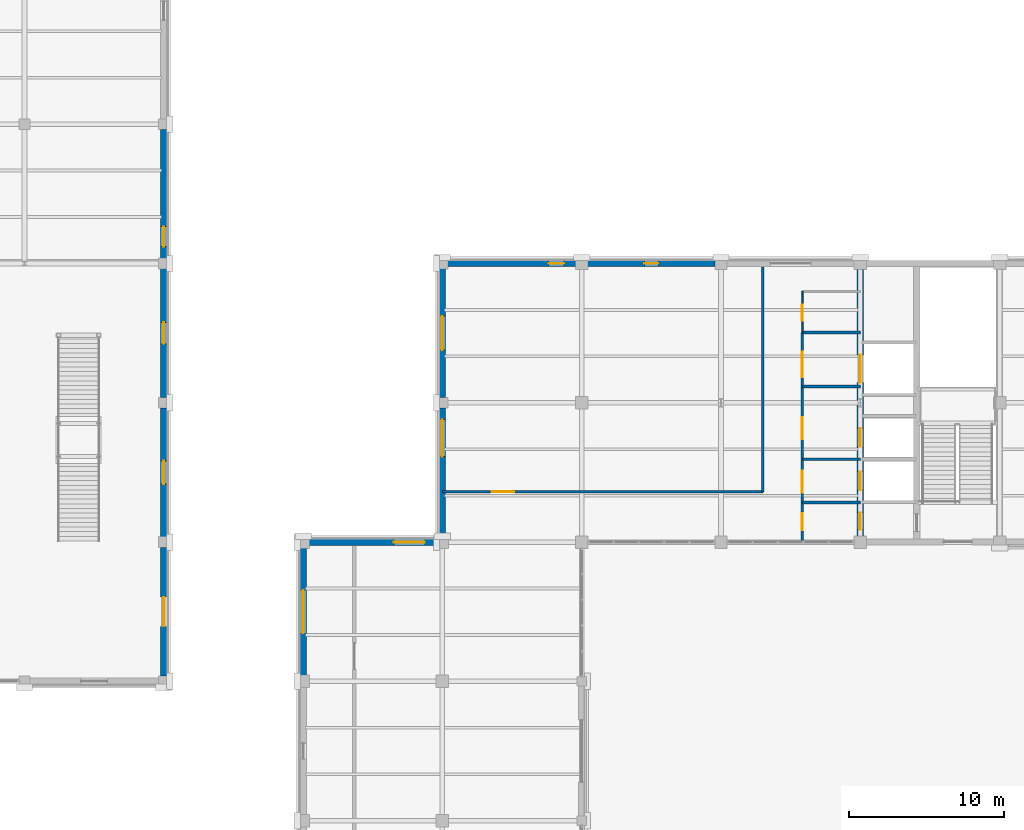
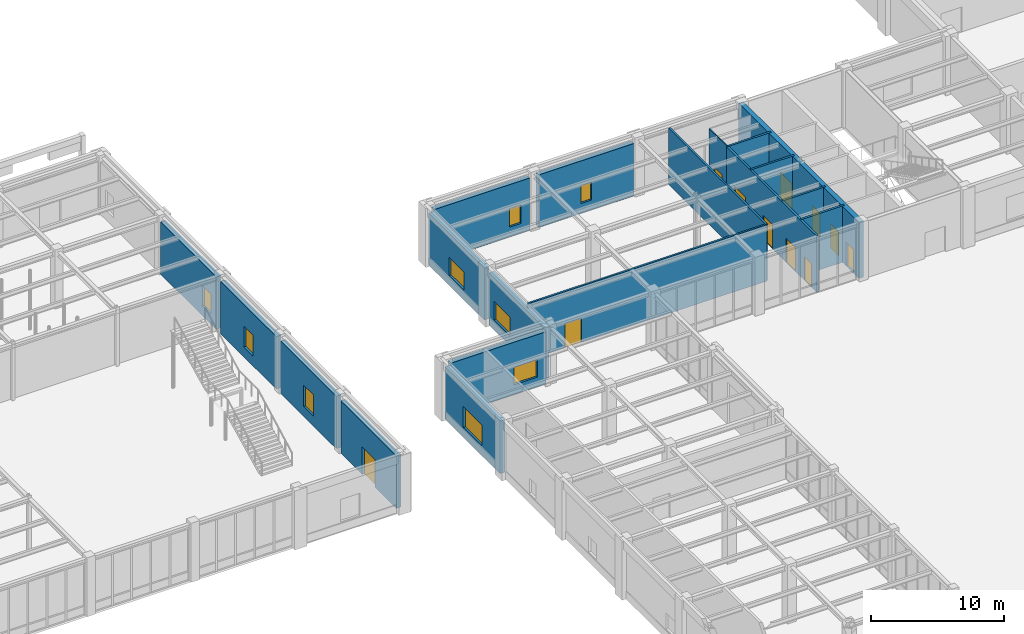
# One storey, part 68 of 77: 19 walls, 11 doors, 9 windows, 20 openings.
"""IFC4 building model written with IfcOpenShell, lengths in metres."""

from ifc_helpers import new_model, si_unit, direction, frame, frame_2d, origin, place, context, subcontext, project, spatial, rectangle, extrude, material, layer, layer_set, type_object, element, fill, save


model = new_model("IFC4")

# Units and contexts
model_context = context("Model", 3, precision=1e-05, world=origin(), true_north=direction((0.0, 1.0)))
body_context = subcontext(model_context, "Body", "Model", "MODEL_VIEW")
ifc_project = project(units=[si_unit("LENGTHUNIT", "METRE"), si_unit("AREAUNIT", "SQUARE_METRE"), si_unit("VOLUMEUNIT", "CUBIC_METRE"), si_unit("PLANEANGLEUNIT", "RADIAN"), si_unit("MASSUNIT", "GRAM", prefix="KILO")], contexts=[model_context])

# Site, building, storey
site_placement = place(None, origin())
site = spatial("IfcSite", under=ifc_project, at=site_placement, CompositionType="ELEMENT")
building_placement = place(site_placement, origin())
building = spatial("IfcBuilding", under=site, at=building_placement, Name="Lykobir Media Centre", CompositionType="ELEMENT")
storey_placement = place(building_placement, origin())
storey = spatial("IfcBuildingStorey", under=building, at=storey_placement, Name="L00", CompositionType="ELEMENT", Elevation=0.0)

# Wall, opening, window
ifc_material_1 = material(Name="Honed Travertine Stone", Category="masonry")
ifc_layer_1 = layer(ifc_material_1, 0.419921875, Name="Honed Travertine Stone")
ifc_layer_set_1 = layer_set([ifc_layer_1], Name="Honed Travertine Stone")
wall_type_1 = type_object("IfcWallType", Name="EW-TRAV-420", PredefinedType="STANDARD", material=ifc_layer_set_1)
wall_1_placement = place(storey_placement, frame((107.614990234375, 90.0, 0.0), z_axis=(0.0, 0.0, 1.0), x_axis=(-1.0, 0.0, 0.0)))
wall_1 = element("IfcWall", 1, at=wall_1_placement, inside=storey, type_object=wall_type_1, Name="Exterior wall WALL-L00-0072", PredefinedType="STANDARD", context=body_context, shape_type="SweptSolid", body=[
    extrude(rectangle(XDim=8.280029296875, YDim=0.419921875, at=frame_2d((4.14013671875, 0.0))), origin(), (0.0, 0.0, 1.0), 4.794921875),
])
opening_1_placement = place(wall_1_placement, frame((0.75, 0.0, 0.89990234375)))
opening_1 = element("IfcOpeningElement", 2, at=opening_1_placement, cuts=wall_1, Name="Opening WN-1000x1700", PredefinedType="OPENING", context=body_context, shape_type="SweptSolid", body=[
    extrude(rectangle(XDim=1.0, YDim=1.699951171875, at=frame_2d((0.5, 0.85009765625))), frame((0.0, 0.219970703125, 0.0), z_axis=(0.0, -1.0, 0.0), x_axis=(1.0, 0.0, 0.0)), (0.0, 0.0, 1.0), 0.43994140625),
])
ifc_material_2 = material(Name="Low-E Laminated Triple Glazing", Category="glass")
window_type_1 = type_object("IfcWindowType", Name="WN-1000x1700", PartitioningType="SINGLE_PANEL", PredefinedType="WINDOW", material=ifc_material_2)
window_1_placement = place(opening_1_placement, origin())
window_1 = element("IfcWindow", 3, at=window_1_placement, inside=storey, type_object=window_type_1, Name="Window WIN-L00-0001", OverallHeight=1.699951171875, OverallWidth=1.0, PartitioningType="SINGLE_PANEL", PredefinedType="WINDOW", context=body_context, shape_type="SweptSolid", body=[
    extrude(rectangle(XDim=1.0, YDim=1.699951171875, at=frame_2d((0.5, 0.85009765625))), frame((0.0, 0.030029296875, 0.0), z_axis=(0.0, -1.0, 0.0), x_axis=(1.0, 0.0, 0.0)), (0.0, 0.0, 1.0), 0.06005859375),
])
fill(opening_1, window_1)

wall_2_placement = place(storey_placement, frame((116.614990234375, 90.0, 0.0), z_axis=(0.0, 0.0, 1.0), x_axis=(-1.0, 0.0, 0.0)))
wall_2 = element("IfcWall", 4, at=wall_2_placement, inside=storey, type_object=wall_type_1, Name="Exterior wall WALL-L00-0073", PredefinedType="STANDARD", context=body_context, shape_type="SweptSolid", body=[
    extrude(rectangle(XDim=8.22998046875, YDim=0.419921875, at=frame_2d((4.114990234375, 0.0))), origin(), (0.0, 0.0, 1.0), 4.794921875),
])
opening_2_placement = place(wall_2_placement, frame((3.6650390625, 0.0, 0.89990234375)))
opening_2 = element("IfcOpeningElement", 5, at=opening_2_placement, cuts=wall_2, Name="Opening WN-0900x1650", PredefinedType="OPENING", context=body_context, shape_type="SweptSolid", body=[
    extrude(rectangle(XDim=0.89990234375, YDim=1.64990234375, at=frame_2d((0.449951171875, 0.824951171875))), frame((0.0, 0.219970703125, 0.0), z_axis=(0.0, -1.0, 0.0), x_axis=(1.0, 0.0, 0.0)), (0.0, 0.0, 1.0), 0.43994140625),
])
window_type_2 = type_object("IfcWindowType", Name="WN-0900x1650", PartitioningType="SINGLE_PANEL", PredefinedType="WINDOW", material=ifc_material_2)
window_2_placement = place(opening_2_placement, origin())
window_2 = element("IfcWindow", 6, at=window_2_placement, inside=storey, type_object=window_type_2, Name="Window WIN-L00-0002", OverallHeight=1.64990234375, OverallWidth=0.89990234375, PartitioningType="SINGLE_PANEL", PredefinedType="WINDOW", context=body_context, shape_type="SweptSolid", body=[
    extrude(rectangle(XDim=0.89990234375, YDim=1.64990234375, at=frame_2d((0.449951171875, 0.824951171875))), frame((0.0, 0.030029296875, 0.0), z_axis=(0.0, -1.0, 0.0), x_axis=(1.0, 0.0, 0.0)), (0.0, 0.0, 1.0), 0.06005859375),
])
fill(opening_2, window_2)

wall_3_placement = place(storey_placement, frame((99.0, 80.6650390625, 0.0), z_axis=(0.0, 0.0, 1.0), x_axis=(0.0, -1.0, 0.0)))
wall_3 = element("IfcWall", 7, at=wall_3_placement, inside=storey, type_object=wall_type_1, Name="Exterior wall WALL-L00-0076", PredefinedType="STANDARD", context=body_context, shape_type="SweptSolid", body=[
    extrude(rectangle(XDim=8.280029296875, YDim=0.419921875, at=frame_2d((4.14013671875, 0.0))), origin(), (0.0, 0.0, 1.0), 4.7548828125),
])
opening_3_placement = place(wall_3_placement, frame((0.75, 0.0, 0.89990234375)))
opening_3 = element("IfcOpeningElement", 8, at=opening_3_placement, cuts=wall_3, Name="Opening WN-2400x1700", PredefinedType="OPENING", context=body_context, shape_type="SweptSolid", body=[
    extrude(rectangle(XDim=2.39990234375, YDim=1.699951171875, at=frame_2d((1.199951171875, 0.85009765625))), frame((0.0, 0.219970703125, 0.0), z_axis=(0.0, -1.0, 0.0), x_axis=(1.0, 0.0, 0.0)), (0.0, 0.0, 1.0), 0.43994140625),
])
window_type_3 = type_object("IfcWindowType", Name="WN-2400x1700", PartitioningType="SINGLE_PANEL", PredefinedType="WINDOW", material=ifc_material_2)
window_3_placement = place(opening_3_placement, origin())
window_3 = element("IfcWindow", 9, at=window_3_placement, inside=storey, type_object=window_type_3, Name="Window WIN-L00-0005", OverallHeight=1.699951171875, OverallWidth=2.39990234375, PartitioningType="SINGLE_PANEL", PredefinedType="WINDOW", context=body_context, shape_type="SweptSolid", body=[
    extrude(rectangle(XDim=2.39990234375, YDim=1.699951171875, at=frame_2d((1.199951171875, 0.85009765625))), frame((0.0, 0.030029296875, 0.0), z_axis=(0.0, -1.0, 0.0), x_axis=(1.0, 0.0, 0.0)), (0.0, 0.0, 1.0), 0.06005859375),
])
fill(opening_3, window_3)

wall_4_placement = place(storey_placement, frame((99.0, 89.6650390625, 0.0), z_axis=(0.0, 0.0, 1.0), x_axis=(0.0, -1.0, 0.0)))
wall_4 = element("IfcWall", 10, at=wall_4_placement, inside=storey, type_object=wall_type_1, Name="Exterior wall WALL-L00-0077", PredefinedType="STANDARD", context=body_context, shape_type="SweptSolid", body=[
    extrude(rectangle(XDim=8.330078125, YDim=0.419921875, at=frame_2d((4.1650390625, 0.0))), origin(), (0.0, 0.0, 1.0), 4.7548828125),
])
opening_4_placement = place(wall_4_placement, frame((3.06494140625, 0.0, 0.89990234375)))
opening_4 = element("IfcOpeningElement", 11, at=opening_4_placement, cuts=wall_4, Name="Opening WN-2200x1650", PredefinedType="OPENING", context=body_context, shape_type="SweptSolid", body=[
    extrude(rectangle(XDim=2.199951171875, YDim=1.64990234375, at=frame_2d((1.10009765625, 0.824951171875))), frame((0.0, 0.219970703125, 0.0), z_axis=(0.0, -1.0, 0.0), x_axis=(1.0, 0.0, 0.0)), (0.0, 0.0, 1.0), 0.43994140625),
])
window_type_4 = type_object("IfcWindowType", Name="WN-2200x1650", PartitioningType="SINGLE_PANEL", PredefinedType="WINDOW", material=ifc_material_2)
window_4_placement = place(opening_4_placement, origin())
window_4 = element("IfcWindow", 12, at=window_4_placement, inside=storey, type_object=window_type_4, Name="Window WIN-L00-0006", OverallHeight=1.64990234375, OverallWidth=2.199951171875, PartitioningType="SINGLE_PANEL", PredefinedType="WINDOW", context=body_context, shape_type="SweptSolid", body=[
    extrude(rectangle(XDim=2.199951171875, YDim=1.64990234375, at=frame_2d((1.10009765625, 0.824951171875))), frame((0.0, 0.030029296875, 0.0), z_axis=(0.0, -1.0, 0.0), x_axis=(1.0, 0.0, 0.0)), (0.0, 0.0, 1.0), 0.06005859375),
])
fill(opening_4, window_4)

wall_5_placement = place(storey_placement, frame((98.614990234375, 72.0, 0.0), z_axis=(0.0, 0.0, 1.0), x_axis=(-1.0, 0.0, 0.0)))
wall_5 = element("IfcWall", 13, at=wall_5_placement, inside=storey, type_object=wall_type_1, Name="Exterior wall WALL-L00-0078", PredefinedType="STANDARD", context=body_context, shape_type="SweptSolid", body=[
    extrude(rectangle(XDim=8.22998046875, YDim=0.419921875, at=frame_2d((4.114990234375, 0.0))), origin(), (0.0, 0.0, 1.0), 4.794921875),
])
opening_5_placement = place(wall_5_placement, frame((0.75, 0.0, 0.89990234375)))
opening_5 = element("IfcOpeningElement", 14, at=opening_5_placement, cuts=wall_5, Name="Opening WN-2000x1600", PredefinedType="OPENING", context=body_context, shape_type="SweptSolid", body=[
    extrude(rectangle(XDim=2.0, YDim=1.60009765625, at=frame_2d((1.0, 0.800048828125))), frame((0.0, 0.219970703125, 0.0), z_axis=(0.0, -1.0, 0.0), x_axis=(1.0, 0.0, 0.0)), (0.0, 0.0, 1.0), 0.43994140625),
])
window_type_5 = type_object("IfcWindowType", Name="WN-2000x1600", PartitioningType="SINGLE_PANEL", PredefinedType="WINDOW", material=ifc_material_2)
window_5_placement = place(opening_5_placement, origin())
window_5 = element("IfcWindow", 15, at=window_5_placement, inside=storey, type_object=window_type_5, Name="Window WIN-L00-0007", OverallHeight=1.60009765625, OverallWidth=2.0, PartitioningType="SINGLE_PANEL", PredefinedType="WINDOW", context=body_context, shape_type="SweptSolid", body=[
    extrude(rectangle(XDim=2.0, YDim=1.60009765625, at=frame_2d((1.0, 0.800048828125))), frame((0.0, 0.030029296875, 0.0), z_axis=(0.0, -1.0, 0.0), x_axis=(1.0, 0.0, 0.0)), (0.0, 0.0, 1.0), 0.06005859375),
])
fill(opening_5, window_5)

wall_6_placement = place(storey_placement, frame((90.0, 71.614990234375, 0.0), z_axis=(0.0, 0.0, 1.0), x_axis=(0.0, -1.0, 0.0)))
wall_6 = element("IfcWall", 16, at=wall_6_placement, inside=storey, type_object=wall_type_1, Name="Exterior wall WALL-L00-0084", PredefinedType="STANDARD", context=body_context, shape_type="SweptSolid", body=[
    extrude(rectangle(XDim=8.22998046875, YDim=0.419921875, at=frame_2d((4.114990234375, 0.0))), origin(), (0.0, 0.0, 1.0), 4.794921875),
])
opening_6_placement = place(wall_6_placement, frame((2.715087890625, 0.0, 0.89990234375)))
opening_6 = element("IfcOpeningElement", 17, at=opening_6_placement, cuts=wall_6, Name="Opening WN-2800x1900", PredefinedType="OPENING", context=body_context, shape_type="SweptSolid", body=[
    extrude(rectangle(XDim=2.800048828125, YDim=1.89990234375, at=frame_2d((1.39990234375, 0.949951171875))), frame((0.0, 0.219970703125, 0.0), z_axis=(0.0, -1.0, 0.0), x_axis=(1.0, 0.0, 0.0)), (0.0, 0.0, 1.0), 0.43994140625),
])
window_type_6 = type_object("IfcWindowType", Name="WN-2800x1900", PartitioningType="SINGLE_PANEL", PredefinedType="WINDOW", material=ifc_material_2)
window_6_placement = place(opening_6_placement, origin())
window_6 = element("IfcWindow", 18, at=window_6_placement, inside=storey, type_object=window_type_6, Name="Window WIN-L00-0012", OverallHeight=1.89990234375, OverallWidth=2.800048828125, PartitioningType="SINGLE_PANEL", PredefinedType="WINDOW", context=body_context, shape_type="SweptSolid", body=[
    extrude(rectangle(XDim=2.800048828125, YDim=1.89990234375, at=frame_2d((1.39990234375, 0.949951171875))), frame((0.0, 0.030029296875, 0.0), z_axis=(0.0, -1.0, 0.0), x_axis=(1.0, 0.0, 0.0)), (0.0, 0.0, 1.0), 0.06005859375),
])
fill(opening_6, window_6)

# Wall, opening, door
wall_7_placement = place(storey_placement, frame((81.0, 63.3349609375, 0.0), z_axis=(0.0, 0.0, 1.0), x_axis=(0.0, 1.0, 0.0)))
wall_7 = element("IfcWall", 19, at=wall_7_placement, inside=storey, type_object=wall_type_1, Name="Exterior wall WALL-L00-0096", PredefinedType="STANDARD", context=body_context, shape_type="SweptSolid", body=[
    extrude(rectangle(XDim=8.330078125, YDim=0.419921875, at=frame_2d((4.1650390625, 0.0))), origin(), (0.0, 0.0, 1.0), 4.794921875),
])
opening_7_placement = place(wall_7_placement, frame((3.215087890625, 0.0, 0.0)))
opening_7 = element("IfcOpeningElement", 20, at=opening_7_placement, cuts=wall_7, Name="Opening D-L00-E07", PredefinedType="OPENING", context=body_context, shape_type="SweptSolid", body=[
    extrude(rectangle(XDim=1.89990234375, YDim=2.5, at=frame_2d((0.949951171875, 1.25))), frame((0.0, 0.219970703125, 0.0), z_axis=(0.0, -1.0, 0.0), x_axis=(1.0, 0.0, 0.0)), (0.0, 0.0, 1.0), 0.43994140625),
])
ifc_material_3 = material(Name="Anodized Aluminium AW-6060", Category="aluminium")
door_type_1 = type_object("IfcDoorType", Name="ED-1900x2500", OperationType="NOTDEFINED", PredefinedType="DOOR", material=ifc_material_3)
door_1_placement = place(opening_7_placement, frame((1.89990234375, 0.0, 0.0), z_axis=(0.0, 0.0, 1.0), x_axis=(-1.0, 0.0, 0.0)))
door_1 = element("IfcDoor", 21, at=door_1_placement, inside=storey, type_object=door_type_1, Name="Pasaj conservatory concourse entrance", OperationType="DOUBLE_DOOR_SINGLE_SWING", OverallHeight=2.5, OverallWidth=1.89990234375, PredefinedType="DOOR", context=body_context, shape_type="SweptSolid", body=[
    extrude(rectangle(XDim=1.89990234375, YDim=2.5, at=frame_2d((0.949951171875, 1.25))), frame((0.0, 0.02490234375, 0.0), z_axis=(0.0, -1.0, 0.0), x_axis=(1.0, 0.0, 0.0)), (0.0, 0.0, 1.0), 0.050048828125),
])
fill(opening_7, door_1)

# Wall, opening, window
wall_8_placement = place(storey_placement, frame((81.0, 72.3349609375, 0.0), z_axis=(0.0, 0.0, 1.0), x_axis=(0.0, 1.0, 0.0)))
wall_8 = element("IfcWall", 22, at=wall_8_placement, inside=storey, type_object=wall_type_1, Name="Exterior wall WALL-L00-0097", PredefinedType="STANDARD", context=body_context, shape_type="SweptSolid", body=[
    extrude(rectangle(XDim=8.330078125, YDim=0.419921875, at=frame_2d((4.1650390625, 0.0))), origin(), (0.0, 0.0, 1.0), 4.794921875),
])
opening_8_placement = place(wall_8_placement, frame((3.4150390625, 0.0, 0.89990234375)))
opening_8 = element("IfcOpeningElement", 23, at=opening_8_placement, cuts=wall_8, Name="Opening WN-1500x1950", PredefinedType="OPENING", context=body_context, shape_type="SweptSolid", body=[
    extrude(rectangle(XDim=1.5, YDim=1.949951171875, at=frame_2d((0.75, 0.97509765625))), frame((0.0, 0.219970703125, 0.0), z_axis=(0.0, -1.0, 0.0), x_axis=(1.0, 0.0, 0.0)), (0.0, 0.0, 1.0), 0.43994140625),
])
window_type_7 = type_object("IfcWindowType", Name="WN-1500x1950", PartitioningType="SINGLE_PANEL", PredefinedType="WINDOW", material=ifc_material_2)
window_7_placement = place(opening_8_placement, origin())
window_7 = element("IfcWindow", 24, at=window_7_placement, inside=storey, type_object=window_type_7, Name="Window WIN-L00-0019", OverallHeight=1.949951171875, OverallWidth=1.5, PartitioningType="SINGLE_PANEL", PredefinedType="WINDOW", context=body_context, shape_type="SweptSolid", body=[
    extrude(rectangle(XDim=1.5, YDim=1.949951171875, at=frame_2d((0.75, 0.97509765625))), frame((0.0, 0.030029296875, 0.0), z_axis=(0.0, -1.0, 0.0), x_axis=(1.0, 0.0, 0.0)), (0.0, 0.0, 1.0), 0.06005859375),
])
fill(opening_8, window_7)

wall_9_placement = place(storey_placement, frame((81.0, 81.3349609375, 0.0), z_axis=(0.0, 0.0, 1.0), x_axis=(0.0, 1.0, 0.0)))
wall_9 = element("IfcWall", 25, at=wall_9_placement, inside=storey, type_object=wall_type_1, Name="Exterior wall WALL-L00-0098", PredefinedType="STANDARD", context=body_context, shape_type="SweptSolid", body=[
    extrude(rectangle(XDim=8.330078125, YDim=0.419921875, at=frame_2d((4.1650390625, 0.0))), origin(), (0.0, 0.0, 1.0), 4.794921875),
])
opening_9_placement = place(wall_9_placement, frame((3.465087890625, 0.0, 0.89990234375)))
opening_9 = element("IfcOpeningElement", 26, at=opening_9_placement, cuts=wall_9, Name="Opening WN-1400x1900", PredefinedType="OPENING", context=body_context, shape_type="SweptSolid", body=[
    extrude(rectangle(XDim=1.39990234375, YDim=1.89990234375, at=frame_2d((0.699951171875, 0.949951171875))), frame((0.0, 0.219970703125, 0.0), z_axis=(0.0, -1.0, 0.0), x_axis=(1.0, 0.0, 0.0)), (0.0, 0.0, 1.0), 0.43994140625),
])
window_type_8 = type_object("IfcWindowType", Name="WN-1400x1900", PartitioningType="SINGLE_PANEL", PredefinedType="WINDOW", material=ifc_material_2)
window_8_placement = place(opening_9_placement, origin())
window_8 = element("IfcWindow", 27, at=window_8_placement, inside=storey, type_object=window_type_8, Name="Window WIN-L00-0020", OverallHeight=1.89990234375, OverallWidth=1.39990234375, PartitioningType="SINGLE_PANEL", PredefinedType="WINDOW", context=body_context, shape_type="SweptSolid", body=[
    extrude(rectangle(XDim=1.39990234375, YDim=1.89990234375, at=frame_2d((0.699951171875, 0.949951171875))), frame((0.0, 0.030029296875, 0.0), z_axis=(0.0, -1.0, 0.0), x_axis=(1.0, 0.0, 0.0)), (0.0, 0.0, 1.0), 0.06005859375),
])
fill(opening_9, window_8)

wall_10_placement = place(storey_placement, frame((81.0, 90.3349609375, 0.0), z_axis=(0.0, 0.0, 1.0), x_axis=(0.0, 1.0, 0.0)))
wall_10 = element("IfcWall", 28, at=wall_10_placement, inside=storey, type_object=wall_type_1, Name="Exterior wall WALL-L00-0099", PredefinedType="STANDARD", context=body_context, shape_type="SweptSolid", body=[
    extrude(rectangle(XDim=8.330078125, YDim=0.419921875, at=frame_2d((4.1650390625, 0.0))), origin(), (0.0, 0.0, 1.0), 4.794921875),
])
opening_10_placement = place(wall_10_placement, frame((0.75, 0.0, 0.89990234375)))
opening_10 = element("IfcOpeningElement", 29, at=opening_10_placement, cuts=wall_10, Name="Opening WN-1300x1850", PredefinedType="OPENING", context=body_context, shape_type="SweptSolid", body=[
    extrude(rectangle(XDim=1.300048828125, YDim=1.85009765625, at=frame_2d((0.64990234375, 0.925048828125))), frame((0.0, 0.219970703125, 0.0), z_axis=(0.0, -1.0, 0.0), x_axis=(1.0, 0.0, 0.0)), (0.0, 0.0, 1.0), 0.43994140625),
])
window_type_9 = type_object("IfcWindowType", Name="WN-1300x1850", PartitioningType="SINGLE_PANEL", PredefinedType="WINDOW", material=ifc_material_2)
window_9_placement = place(opening_10_placement, origin())
window_9 = element("IfcWindow", 30, at=window_9_placement, inside=storey, type_object=window_type_9, Name="Window WIN-L00-0021", OverallHeight=1.85009765625, OverallWidth=1.300048828125, PartitioningType="SINGLE_PANEL", PredefinedType="WINDOW", context=body_context, shape_type="SweptSolid", body=[
    extrude(rectangle(XDim=1.300048828125, YDim=1.85009765625, at=frame_2d((0.64990234375, 0.925048828125))), frame((0.0, 0.030029296875, 0.0), z_axis=(0.0, -1.0, 0.0), x_axis=(1.0, 0.0, 0.0)), (0.0, 0.0, 1.0), 0.06005859375),
])
fill(opening_10, window_9)

# Wall, opening, door
ifc_material_4 = material(Name="Acoustic Gypsum Board", Category="gypsum")
ifc_layer_2 = layer(ifc_material_4, 0.159912109375, Name="Acoustic Gypsum Board")
ifc_layer_set_2 = layer_set([ifc_layer_2], Name="Acoustic Gypsum Board")
wall_type_2 = type_object("IfcWallType", Name="IW-COR-160", PredefinedType="PARTITIONING", material=ifc_layer_set_2)
wall_11_placement = place(storey_placement, frame((99.0, 75.25, 0.0), z_axis=(0.0, 0.0, 1.0), x_axis=(1.0, 0.0, 0.0)))
wall_11 = element("IfcWall", 31, at=wall_11_placement, inside=storey, type_object=wall_type_2, Name="Wall IWALL-L00-0672", PredefinedType="PARTITIONING", context=body_context, shape_type="SweptSolid", body=[
    extrude(rectangle(XDim=20.699951171875, YDim=0.159912109375, at=frame_2d((10.35009765625, 0.0))), origin(), (0.0, 0.0, 1.0), 5.159912109375),
])
opening_11_placement = place(wall_11_placement, frame((3.199951171875, 0.0, 0.0)))
opening_11 = element("IfcOpeningElement", 32, at=opening_11_placement, cuts=wall_11, Name="Opening D-L00-ENB1", PredefinedType="OPENING", context=body_context, shape_type="SweptSolid", body=[
    extrude(rectangle(XDim=1.449951171875, YDim=2.219970703125, at=frame_2d((0.72509765625, 1.10986328125))), frame((0.0, 0.08984375, 0.0), z_axis=(0.0, -1.0, 0.0), x_axis=(1.0, 0.0, 0.0)), (0.0, 0.0, 1.0), 0.179931640625),
])
ifc_material_5 = material(Name="Acoustic Timber Panelling", Category="wood")
door_type_2 = type_object("IfcDoorType", Name="FD-1450x2220", OperationType="NOTDEFINED", PredefinedType="DOOR", material=ifc_material_5)
door_2_placement = place(opening_11_placement, origin())
door_2 = element("IfcDoor", 33, at=door_2_placement, inside=storey, type_object=door_type_2, Name="Door D-L00-ENB1", OperationType="DOUBLE_DOOR_SINGLE_SWING", OverallHeight=2.219970703125, OverallWidth=1.449951171875, PredefinedType="DOOR", context=body_context, shape_type="SweptSolid", body=[
    extrude(rectangle(XDim=1.449951171875, YDim=2.219970703125, at=frame_2d((0.72509765625, 1.10986328125))), frame((0.0, 0.02490234375, 0.0), z_axis=(0.0, -1.0, 0.0), x_axis=(1.0, 0.0, 0.0)), (0.0, 0.0, 1.0), 0.050048828125),
])
fill(opening_11, door_2)

# Wall
wall_12_placement = place(storey_placement, frame((119.699951171875, 75.25, 0.0), z_axis=(0.0, 0.0, 1.0), x_axis=(0.0, 1.0, 0.0)))
element("IfcWall", 34, at=wall_12_placement, inside=storey, type_object=wall_type_2, Name="Wall IWALL-L00-0673", PredefinedType="PARTITIONING", context=body_context, shape_type="SweptSolid", body=[
    extrude(rectangle(XDim=14.530029296875, YDim=0.159912109375, at=frame_2d((7.26513671875, 0.0))), origin(), (0.0, 0.0, 1.0), 5.159912109375),
])

# Wall, openings, doors
ifc_layer_3 = layer(ifc_material_4, 0.179931640625, Name="Acoustic Gypsum Board")
ifc_layer_set_3 = layer_set([ifc_layer_3], Name="Acoustic Gypsum Board")
wall_type_3 = type_object("IfcWallType", Name="IW-FFLOB-180", PredefinedType="PARTITIONING", material=ifc_layer_set_3)
wall_13_placement = place(storey_placement, frame((122.25, 72.0, 0.0), z_axis=(0.0, 0.0, 1.0), x_axis=(0.0, 1.0, 0.0)))
wall_13 = element("IfcWall", 35, at=wall_13_placement, inside=storey, type_object=wall_type_3, Name="Wall IWALL-L00-0482", PredefinedType="PARTITIONING", context=body_context, shape_type="SweptSolid", body=[
    extrude(rectangle(XDim=13.550048828125, YDim=0.179931640625, at=frame_2d((6.77490234375, 0.0))), origin(), (0.0, 0.0, 1.0), 5.159912109375),
])
opening_12_placement = place(wall_13_placement, frame((0.75, 0.0, 0.0)))
opening_12 = element("IfcOpeningElement", 36, at=opening_12_placement, cuts=wall_13, Name="Opening D-L00-C4LV", PredefinedType="OPENING", context=body_context, shape_type="SweptSolid", body=[
    extrude(rectangle(XDim=1.10009765625, YDim=2.159912109375, at=frame_2d((0.550048828125, 1.080078125))), frame((0.0, 0.099853515625, 0.0), z_axis=(0.0, -1.0, 0.0), x_axis=(1.0, 0.0, 0.0)), (0.0, 0.0, 1.0), 0.199951171875),
])
opening_13_placement = place(wall_13_placement, frame((3.199951171875, 0.0, 0.0)))
opening_13 = element("IfcOpeningElement", 37, at=opening_13_placement, cuts=wall_13, Name="Opening D-L00-C4PL", PredefinedType="OPENING", context=body_context, shape_type="SweptSolid", body=[
    extrude(rectangle(XDim=1.39990234375, YDim=2.199951171875, at=frame_2d((0.699951171875, 1.10009765625))), frame((0.0, 0.099853515625, 0.0), z_axis=(0.0, -1.0, 0.0), x_axis=(1.0, 0.0, 0.0)), (0.0, 0.0, 1.0), 0.199951171875),
])
opening_14_placement = place(wall_13_placement, frame((6.64990234375, 0.0, 0.0)))
opening_14 = element("IfcOpeningElement", 38, at=opening_14_placement, cuts=wall_13, Name="Opening D-L00-C4FF", PredefinedType="OPENING", context=body_context, shape_type="SweptSolid", body=[
    extrude(rectangle(XDim=1.39990234375, YDim=2.199951171875, at=frame_2d((0.699951171875, 1.10009765625))), frame((0.0, 0.099853515625, 0.0), z_axis=(0.0, -1.0, 0.0), x_axis=(1.0, 0.0, 0.0)), (0.0, 0.0, 1.0), 0.199951171875),
])
opening_15_placement = place(wall_13_placement, frame((10.64990234375, 0.0, 0.0)))
opening_15 = element("IfcOpeningElement", 39, at=opening_15_placement, cuts=wall_13, Name="Opening D-L00-C4GL", PredefinedType="OPENING", context=body_context, shape_type="SweptSolid", body=[
    extrude(rectangle(XDim=1.64990234375, YDim=2.25, at=frame_2d((0.824951171875, 1.125))), frame((0.0, 0.099853515625, 0.0), z_axis=(0.0, -1.0, 0.0), x_axis=(1.0, 0.0, 0.0)), (0.0, 0.0, 1.0), 0.199951171875),
])
door_type_3 = type_object("IfcDoorType", Name="FD-1100x2160", OperationType="NOTDEFINED", PredefinedType="DOOR", material=ifc_material_5)
door_3_placement = place(opening_12_placement, origin())
door_3 = element("IfcDoor", 40, at=door_3_placement, inside=storey, type_object=door_type_3, Name="Door D-L00-C4LV", OperationType="SINGLE_SWING_LEFT", OverallHeight=2.159912109375, OverallWidth=1.10009765625, PredefinedType="DOOR", context=body_context, shape_type="SweptSolid", body=[
    extrude(rectangle(XDim=1.10009765625, YDim=2.159912109375, at=frame_2d((0.550048828125, 1.080078125))), frame((0.0, 0.02490234375, 0.0), z_axis=(0.0, -1.0, 0.0), x_axis=(1.0, 0.0, 0.0)), (0.0, 0.0, 1.0), 0.050048828125),
])
fill(opening_12, door_3)
door_type_4 = type_object("IfcDoorType", Name="FD-1400x2200", OperationType="NOTDEFINED", PredefinedType="DOOR", material=ifc_material_5)
door_4_placement = place(opening_13_placement, origin())
door_4 = element("IfcDoor", 41, at=door_4_placement, inside=storey, type_object=door_type_4, Name="Door D-L00-C4PL", OperationType="DOUBLE_DOOR_SINGLE_SWING", OverallHeight=2.199951171875, OverallWidth=1.39990234375, PredefinedType="DOOR", context=body_context, shape_type="SweptSolid", body=[
    extrude(rectangle(XDim=1.39990234375, YDim=2.199951171875, at=frame_2d((0.699951171875, 1.10009765625))), frame((0.0, 0.02490234375, 0.0), z_axis=(0.0, -1.0, 0.0), x_axis=(1.0, 0.0, 0.0)), (0.0, 0.0, 1.0), 0.050048828125),
])
fill(opening_13, door_4)
door_5_placement = place(opening_14_placement, origin())
door_5 = element("IfcDoor", 42, at=door_5_placement, inside=storey, type_object=door_type_4, Name="Door D-L00-C4FF", OperationType="DOUBLE_DOOR_SINGLE_SWING", OverallHeight=2.199951171875, OverallWidth=1.39990234375, PredefinedType="DOOR", context=body_context, shape_type="SweptSolid", body=[
    extrude(rectangle(XDim=1.39990234375, YDim=2.199951171875, at=frame_2d((0.699951171875, 1.10009765625))), frame((0.0, 0.02490234375, 0.0), z_axis=(0.0, -1.0, 0.0), x_axis=(1.0, 0.0, 0.0)), (0.0, 0.0, 1.0), 0.050048828125),
])
fill(opening_14, door_5)
door_type_5 = type_object("IfcDoorType", Name="FD-1650x2250", OperationType="NOTDEFINED", PredefinedType="DOOR", material=ifc_material_5)
door_6_placement = place(opening_15_placement, origin())
door_6 = element("IfcDoor", 43, at=door_6_placement, inside=storey, type_object=door_type_5, Name="Door D-L00-C4GL", OperationType="DOUBLE_DOOR_SINGLE_SWING", OverallHeight=2.25, OverallWidth=1.64990234375, PredefinedType="DOOR", context=body_context, shape_type="SweptSolid", body=[
    extrude(rectangle(XDim=1.64990234375, YDim=2.25, at=frame_2d((0.824951171875, 1.125))), frame((0.0, 0.02490234375, 0.0), z_axis=(0.0, -1.0, 0.0), x_axis=(1.0, 0.0, 0.0)), (0.0, 0.0, 1.0), 0.050048828125),
])
fill(opening_15, door_6)

# Walls
for number, where, z_axis, x_axis, name in (
    (44, (122.25, 74.550048828125, 0.0), (0.0, 0.0, 1.0), (1.0, 0.0, 0.0), "Wall IWALL-L00-0483"),
    (45, (122.25, 77.35009765625, 0.0), (0.0, 0.0, 1.0), (1.0, 0.0, 0.0), "Wall IWALL-L00-0484"),
    (46, (122.25, 82.050048828125, 0.0), (0.0, 0.0, 1.0), (1.0, 0.0, 0.0), "Wall IWALL-L00-0485"),
    (47, (122.25, 85.550048828125, 0.0), (0.0, 0.0, 1.0), (1.0, 0.0, 0.0), "Wall IWALL-L00-0486"),
):
    element("IfcWall", number, at=place(storey_placement, frame(where, z_axis=z_axis, x_axis=x_axis)), inside=storey, type_object=wall_type_3, Name=name, PredefinedType="PARTITIONING", context=body_context, shape_type="SweptSolid", body=[
        extrude(rectangle(XDim=3.75, YDim=0.179931640625, at=frame_2d((1.875, 0.0))), origin(), (0.0, 0.0, 1.0), 5.159912109375),
    ])

# Wall, opening, door
ifc_layer_4 = layer(ifc_material_4, 0.094970703125, Name="Acoustic Gypsum Board")
ifc_layer_set_4 = layer_set([ifc_layer_4], Name="Acoustic Gypsum Board")
wall_type_4 = type_object("IfcWallType", Name="IW-WC-095", PredefinedType="PARTITIONING", material=ifc_layer_set_4)
wall_14_placement = place(storey_placement, frame((122.25, 85.550048828125, 0.0), z_axis=(0.0, 0.0, 1.0), x_axis=(0.0, 1.0, 0.0)))
wall_14 = element("IfcWall", 48, at=wall_14_placement, inside=storey, type_object=wall_type_4, Name="Wall IWALL-L00-0487", PredefinedType="PARTITIONING", context=body_context, shape_type="SweptSolid", body=[
    extrude(rectangle(XDim=2.64990234375, YDim=0.094970703125, at=frame_2d((1.324951171875, 0.0))), origin(), (0.0, 0.0, 1.0), 5.159912109375),
])
opening_16_placement = place(wall_14_placement, frame((0.75, 0.0, 0.0)))
opening_16 = element("IfcOpeningElement", 49, at=opening_16_placement, cuts=wall_14, Name="Opening D-L00-WCA4", PredefinedType="OPENING", context=body_context, shape_type="SweptSolid", body=[
    extrude(rectangle(XDim=1.050048828125, YDim=2.1298828125, at=frame_2d((0.52490234375, 1.06494140625))), frame((0.0, 0.057373046875, 0.0), z_axis=(0.0, -1.0, 0.0), x_axis=(1.0, 0.0, 0.0)), (0.0, 0.0, 1.0), 0.114990234375),
])
door_type_6 = type_object("IfcDoorType", Name="ID-1050x2130", OperationType="NOTDEFINED", PredefinedType="DOOR", material=ifc_material_5)
door_7_placement = place(opening_16_placement, origin())
door_7 = element("IfcDoor", 50, at=door_7_placement, inside=storey, type_object=door_type_6, Name="Door D-L00-WCA4", OperationType="SINGLE_SWING_RIGHT", OverallHeight=2.1298828125, OverallWidth=1.050048828125, PredefinedType="DOOR", context=body_context, shape_type="SweptSolid", body=[
    extrude(rectangle(XDim=1.050048828125, YDim=2.1298828125, at=frame_2d((0.52490234375, 1.06494140625))), frame((0.0, 0.02490234375, 0.0), z_axis=(0.0, -1.0, 0.0), x_axis=(1.0, 0.0, 0.0)), (0.0, 0.0, 1.0), 0.050048828125),
])
fill(opening_16, door_7)

# Wall, openings, doors
ifc_material_6 = material(Name="Concrete C40/50", Category="concrete")
ifc_layer_5 = layer(ifc_material_6, 0.39990234375, Name="Concrete C40/50")
ifc_layer_set_5 = layer_set([ifc_layer_5], Name="Concrete C40/50")
wall_type_5 = type_object("IfcWallType", Name="SW-CORE-400", PredefinedType="SHEAR", material=ifc_layer_set_5)
wall_15_placement = place(storey_placement, frame((126.0, 90.0, 0.0), z_axis=(0.0, 0.0, 1.0), x_axis=(0.0, -1.0, 0.0)))
wall_15 = element("IfcWall", 51, at=wall_15_placement, inside=storey, type_object=wall_type_5, Name="Wall IWALL-L00-0475", PredefinedType="SHEAR", context=body_context, shape_type="SweptSolid", body=[
    extrude(rectangle(XDim=18.0, YDim=0.39990234375, at=frame_2d((9.0, 0.0))), origin(), (0.0, 0.0, 1.0), 5.159912109375),
])
opening_17_placement = place(wall_15_placement, frame((16.10009765625, 0.0, 0.0)))
opening_17 = element("IfcOpeningElement", 52, at=opening_17_placement, cuts=wall_15, Name="Opening D-L00-C4VB", PredefinedType="OPENING", context=body_context, shape_type="SweptSolid", body=[
    extrude(rectangle(XDim=1.10009765625, YDim=2.159912109375, at=frame_2d((0.550048828125, 1.080078125))), frame((0.0, 0.2099609375, 0.0), z_axis=(0.0, -1.0, 0.0), x_axis=(1.0, 0.0, 0.0)), (0.0, 0.0, 1.0), 0.419921875),
])
opening_18_placement = place(wall_15_placement, frame((13.449951171875, 0.0, 0.0)))
opening_18 = element("IfcOpeningElement", 53, at=opening_18_placement, cuts=wall_15, Name="Opening LD-L00-PL-4", PredefinedType="OPENING", context=body_context, shape_type="SweptSolid", body=[
    extrude(rectangle(XDim=1.199951171875, YDim=2.199951171875, at=frame_2d((0.60009765625, 1.10009765625))), frame((0.0, 0.2099609375, 0.0), z_axis=(0.0, -1.0, 0.0), x_axis=(1.0, 0.0, 0.0)), (0.0, 0.0, 1.0), 0.419921875),
])
opening_19_placement = place(wall_15_placement, frame((10.64990234375, 0.0, 0.0)))
opening_19 = element("IfcOpeningElement", 54, at=opening_19_placement, cuts=wall_15, Name="Opening LD-L00-FL-3", PredefinedType="OPENING", context=body_context, shape_type="SweptSolid", body=[
    extrude(rectangle(XDim=1.199951171875, YDim=2.199951171875, at=frame_2d((0.60009765625, 1.10009765625))), frame((0.0, 0.2099609375, 0.0), z_axis=(0.0, -1.0, 0.0), x_axis=(1.0, 0.0, 0.0)), (0.0, 0.0, 1.0), 0.419921875),
])
opening_20_placement = place(wall_15_placement, frame((5.89990234375, 0.0, 0.0)))
opening_20 = element("IfcOpeningElement", 55, at=opening_20_placement, cuts=wall_15, Name="Opening LD-L00-GL-1", PredefinedType="OPENING", context=body_context, shape_type="SweptSolid", body=[
    extrude(rectangle(XDim=1.800048828125, YDim=2.35009765625, at=frame_2d((0.89990234375, 1.175048828125))), frame((0.0, 0.2099609375, 0.0), z_axis=(0.0, -1.0, 0.0), x_axis=(1.0, 0.0, 0.0)), (0.0, 0.0, 1.0), 0.419921875),
])
door_8_placement = place(opening_17_placement, origin())
door_8 = element("IfcDoor", 56, at=door_8_placement, inside=storey, type_object=door_type_3, Name="Door D-L00-C4VB", OperationType="SINGLE_SWING_RIGHT", OverallHeight=2.159912109375, OverallWidth=1.10009765625, PredefinedType="DOOR", context=body_context, shape_type="SweptSolid", body=[
    extrude(rectangle(XDim=1.10009765625, YDim=2.159912109375, at=frame_2d((0.550048828125, 1.080078125))), frame((0.0, 0.02490234375, 0.0), z_axis=(0.0, -1.0, 0.0), x_axis=(1.0, 0.0, 0.0)), (0.0, 0.0, 1.0), 0.050048828125),
])
fill(opening_17, door_8)
door_type_7 = type_object("IfcDoorType", Name="LD-1200x2200", OperationType="NOTDEFINED", PredefinedType="DOOR", material=ifc_material_3)
door_9_placement = place(opening_18_placement, origin())
door_9 = element("IfcDoor", 57, at=door_9_placement, inside=storey, type_object=door_type_7, Name="Lift landing door PL-4 L00", OperationType="SLIDING_TO_LEFT", OverallHeight=2.199951171875, OverallWidth=1.199951171875, PredefinedType="DOOR", context=body_context, shape_type="SweptSolid", body=[
    extrude(rectangle(XDim=1.199951171875, YDim=2.199951171875, at=frame_2d((0.60009765625, 1.10009765625))), frame((0.0, 0.02490234375, 0.0), z_axis=(0.0, -1.0, 0.0), x_axis=(1.0, 0.0, 0.0)), (0.0, 0.0, 1.0), 0.050048828125),
])
fill(opening_18, door_9)
door_10_placement = place(opening_19_placement, origin())
door_10 = element("IfcDoor", 58, at=door_10_placement, inside=storey, type_object=door_type_7, Name="Firefighting lift landing door FL-3 L00", OperationType="SLIDING_TO_LEFT", OverallHeight=2.199951171875, OverallWidth=1.199951171875, PredefinedType="DOOR", context=body_context, shape_type="SweptSolid", body=[
    extrude(rectangle(XDim=1.199951171875, YDim=2.199951171875, at=frame_2d((0.60009765625, 1.10009765625))), frame((0.0, 0.02490234375, 0.0), z_axis=(0.0, -1.0, 0.0), x_axis=(1.0, 0.0, 0.0)), (0.0, 0.0, 1.0), 0.050048828125),
])
fill(opening_19, door_10)
door_type_8 = type_object("IfcDoorType", Name="LD-1800x2350", OperationType="NOTDEFINED", PredefinedType="DOOR", material=ifc_material_3)
door_11_placement = place(opening_20_placement, origin())
door_11 = element("IfcDoor", 59, at=door_11_placement, inside=storey, type_object=door_type_8, Name="Goods lift landing door GL-1 L00", OperationType="DOUBLE_DOOR_SLIDING", OverallHeight=2.35009765625, OverallWidth=1.800048828125, PredefinedType="DOOR", context=body_context, shape_type="SweptSolid", body=[
    extrude(rectangle(XDim=1.800048828125, YDim=2.35009765625, at=frame_2d((0.89990234375, 1.175048828125))), frame((0.0, 0.02490234375, 0.0), z_axis=(0.0, -1.0, 0.0), x_axis=(1.0, 0.0, 0.0)), (0.0, 0.0, 1.0), 0.050048828125),
])
fill(opening_20, door_11)

save(model, "model.ifc")
